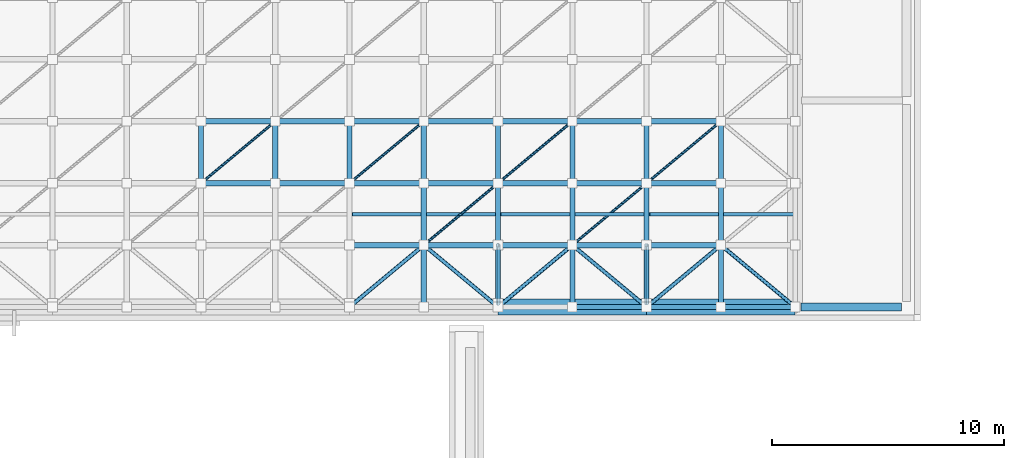
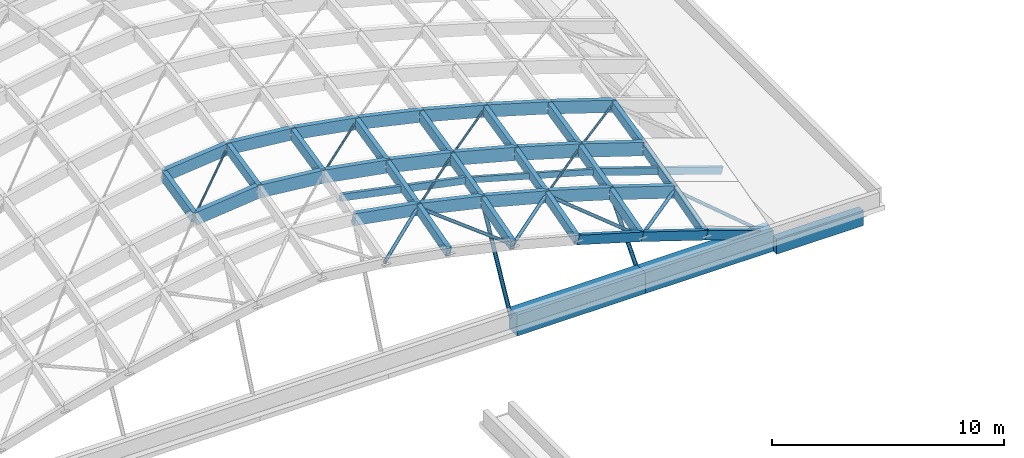
# One storey, part 18 of 40: 57 members, 3 beams.
"""IFC4 building model written with IfcOpenShell, lengths in metres."""

from ifc_helpers import new_model, si_unit, direction, frame, origin, origin_2d, place, context, subcontext, project, spatial, rectangle, hollow_circle, extrude, material, material_profile, profile_set, type_object, element, save


model = new_model("IFC4")

# Units and contexts
model_context = context("Model", 3, precision=1e-05, world=origin(), true_north=direction((0.0, 1.0)))
body_context = subcontext(model_context, "Body", "Model", "MODEL_VIEW")
ifc_project = project(units=[si_unit("LENGTHUNIT", "METRE"), si_unit("AREAUNIT", "SQUARE_METRE"), si_unit("VOLUMEUNIT", "CUBIC_METRE"), si_unit("PLANEANGLEUNIT", "RADIAN"), si_unit("MASSUNIT", "GRAM", prefix="KILO")], contexts=[model_context])

# Site, building, storey
site_placement = place(None, origin())
site = spatial("IfcSite", under=ifc_project, at=site_placement, CompositionType="ELEMENT")
building_placement = place(site_placement, origin())
building = spatial("IfcBuilding", under=site, at=building_placement, Name="Mzevani Central Library", CompositionType="ELEMENT")
storey_placement = place(building_placement, frame((0.0, 0.0, 26.699951171875)))
storey = spatial("IfcBuildingStorey", under=building, at=storey_placement, Name="RF", CompositionType="ELEMENT", Elevation=26.699951171875)

# Member
ifc_material_1 = material(Name="Glulam GL28h", Category="wood")
ifc_material_profile_1 = material_profile(ifc_material_1, rectangle(XDim=0.139892578125, YDim=0.300048828125, at=origin_2d()), Name="GL28h 140x300")
ifc_profile_set_1 = profile_set([ifc_material_profile_1], Name="Glulam GL28h")
member_type_1 = type_object("IfcMemberType", Name="Acoustic Baffle Batten GL28h 140x300", PredefinedType="PURLIN", material=ifc_profile_set_1)
member_1_placement = place(storey_placement, frame((146.2900390625, 47.10009765625, -8.010009765625), z_axis=(0.962684478894, 0.0, -0.270626299715), x_axis=(0.0, 1.0, 0.0)))
element("IfcMember", 1, at=member_1_placement, inside=storey, type_object=member_type_1, Name="RF Gridshell Edge Baffle Purlin 6", PredefinedType="PURLIN", context=body_context, shape_type="SweptSolid", body=[
    extrude(rectangle(XDim=0.139892578125, YDim=0.300048828125, at=origin_2d()), origin(), (0.0, 0.0, 1.0), 6.461181640625),
])

# Beam
ifc_material_2 = material(Name="Precast concrete C40/50", Category="concrete")
ifc_material_profile_2 = material_profile(ifc_material_2, rectangle(XDim=0.35009765625, YDim=0.800048828125, at=origin_2d()), Name="RC SP350x800")
ifc_profile_set_2 = profile_set([ifc_material_profile_2], Name="Precast concrete C40/50")
beam_type_1 = type_object("IfcBeamType", Name="Colonnade Fascia Beam RC 350x800", PredefinedType="SPANDREL", material=ifc_profile_set_2)
beam_1_placement = place(storey_placement, frame((159.25, 43.10009765625, -13.56005859375), z_axis=(1.0, 0.0, 0.0), x_axis=(0.0, 1.0, 0.0)))
element("IfcBeam", 2, at=beam_1_placement, inside=storey, type_object=beam_type_1, Name="RF V1 Girder SP-02 (147)", PredefinedType="SPANDREL", context=body_context, shape_type="SweptSolid", body=[
    extrude(rectangle(XDim=0.35009765625, YDim=0.800048828125, at=origin_2d()), origin(), (0.0, 0.0, 1.0), 4.324951171875),
])

# Members
ifc_material_3 = material(Name="Steel S355J2", Category="steel")
ifc_material_profile_3 = material_profile(ifc_material_3, hollow_circle(Radius=0.096923828125, WallThickness=0.010009765625, at=origin_2d()), Name="CHS 193.7x10.0")
ifc_profile_set_3 = profile_set([ifc_material_profile_3], Name="Steel S355J2")
member_type_2 = type_object("IfcMemberType", Name="Gridshell Corner Raker CHS 193.7", PredefinedType="BRACE", material=ifc_profile_set_3)
member_2_placement = place(storey_placement, frame((146.199951171875, 43.25, -12.949951171875), z_axis=(0.0, 0.473264552531, 0.880920350156), x_axis=(-1.0, 0.0, 0.0)))
element("IfcMember", 3, at=member_2_placement, inside=storey, type_object=member_type_2, Name="RF Gridshell South Springing Raker 5", PredefinedType="BRACE", context=body_context, shape_type="SweptSolid", body=[
    extrude(hollow_circle(Radius=0.096923828125, WallThickness=0.010009765625, at=origin_2d()), origin(), (0.0, 0.0, 1.0), 5.317626953125),
])
member_3_placement = place(storey_placement, frame((152.60009765625, 43.25, -12.949951171875), z_axis=(0.0, 0.657289394551, 0.753638276503), x_axis=(-1.0, 0.0, 0.0)))
element("IfcMember", 4, at=member_3_placement, inside=storey, type_object=member_type_2, Name="RF Gridshell South Springing Raker 6", PredefinedType="BRACE", context=body_context, shape_type="SweptSolid", body=[
    extrude(hollow_circle(Radius=0.096923828125, WallThickness=0.010009765625, at=origin_2d()), origin(), (0.0, 0.0, 1.0), 3.828857421875),
])
ifc_material_profile_4 = material_profile(ifc_material_3, hollow_circle(Radius=0.05712890625, WallThickness=0.00634765625, at=origin_2d()), Name="CHS 114.3x6.3")
ifc_profile_set_4 = profile_set([ifc_material_profile_4], Name="Steel S355J2")
member_type_3 = type_object("IfcMemberType", Name="Gridshell Diagonal Brace CHS 114.3", PredefinedType="BRACE", material=ifc_profile_set_4)
member_4_placement = place(storey_placement, frame((133.39990234375, 48.433349609375, -6.2607421875), z_axis=(0.749409555524, 0.62448890563, 0.219997556428), x_axis=(-0.640172870191, 0.768230887345, 0.0)))
element("IfcMember", 5, at=member_4_placement, inside=storey, type_object=member_type_3, Name="RF Gridshell Steel Diagonal 7.3", PredefinedType="BRACE", context=body_context, shape_type="SweptSolid", body=[
    extrude(hollow_circle(Radius=0.05712890625, WallThickness=0.00634765625, at=origin_2d()), origin(), (0.0, 0.0, 1.0), 4.270263671875),
])
member_5_placement = place(storey_placement, frame((139.800048828125, 48.433349609375, -6.2607421875), z_axis=(0.768188182737, 0.640186123448, 0.006974471179), x_axis=(-0.640201694382, 0.768206867003, 0.0)))
element("IfcMember", 6, at=member_5_placement, inside=storey, type_object=member_type_3, Name="RF Gridshell Steel Diagonal 9.3", PredefinedType="BRACE", context=body_context, shape_type="SweptSolid", body=[
    extrude(hollow_circle(Radius=0.05712890625, WallThickness=0.00634765625, at=origin_2d()), origin(), (0.0, 0.0, 1.0), 4.16552734375),
])
member_6_placement = place(storey_placement, frame((143.0, 45.7666015625, -7.51708984375), z_axis=(0.768152498931, 0.640156385582, -0.011897074638), x_axis=(-0.640201694382, 0.768206867003, 0.0)))
element("IfcMember", 7, at=member_6_placement, inside=storey, type_object=member_type_3, Name="RF Gridshell Steel Diagonal 10.2", PredefinedType="BRACE", context=body_context, shape_type="SweptSolid", body=[
    extrude(hollow_circle(Radius=0.05712890625, WallThickness=0.00634765625, at=origin_2d()), origin(), (0.0, 0.0, 1.0), 4.165771484375),
])
member_7_placement = place(storey_placement, frame((146.199951171875, 48.433349609375, -7.566650390625), z_axis=(0.766911711463, 0.639122348692, -0.058043520086), x_axis=(-0.640201694382, 0.768206867003, 0.0)))
element("IfcMember", 8, at=member_7_placement, inside=storey, type_object=member_type_3, Name="RF Gridshell Steel Diagonal 11.3", PredefinedType="BRACE", context=body_context, shape_type="SweptSolid", body=[
    extrude(hollow_circle(Radius=0.05712890625, WallThickness=0.00634765625, at=origin_2d()), origin(), (0.0, 0.0, 1.0), 4.172607421875),
])
member_8_placement = place(storey_placement, frame((149.39990234375, 45.7666015625, -9.09423828125), z_axis=(0.766607499628, 0.638820088376, -0.064975658536), x_axis=(-0.640172870191, 0.768230887345, 0.0)))
element("IfcMember", 9, at=member_8_placement, inside=storey, type_object=member_type_3, Name="RF Gridshell Steel Diagonal 12.2", PredefinedType="BRACE", context=body_context, shape_type="SweptSolid", body=[
    extrude(hollow_circle(Radius=0.05712890625, WallThickness=0.00634765625, at=origin_2d()), origin(), (0.0, 0.0, 1.0), 4.174560546875),
])
member_9_placement = place(storey_placement, frame((152.60009765625, 48.433349609375, -9.365478515625), z_axis=(0.764069331199, 0.636753590042, -0.103648071326), x_axis=(-0.640201694382, 0.768206867003, 0.0)))
element("IfcMember", 10, at=member_9_placement, inside=storey, type_object=member_type_3, Name="RF Gridshell Steel Diagonal 13.3", PredefinedType="BRACE", context=body_context, shape_type="SweptSolid", body=[
    extrude(hollow_circle(Radius=0.05712890625, WallThickness=0.00634765625, at=origin_2d()), origin(), (0.0, 0.0, 1.0), 4.18798828125),
])
ifc_material_profile_5 = material_profile(ifc_material_1, rectangle(XDim=0.199951171875, YDim=0.47998046875, at=origin_2d()), Name="GL28h 200x480")
ifc_profile_set_5 = profile_set([ifc_material_profile_5], Name="Glulam GL28h")
member_type_4 = type_object("IfcMemberType", Name="Gridshell Edge Rib GL28h 200x480", PredefinedType="RAFTER", material=ifc_profile_set_5)
member_10_placement = place(storey_placement, frame((149.39990234375, 43.10009765625, -9.8076171875), z_axis=(0.958635641973, 0.0, -0.284636093879), x_axis=(0.0, 1.0, 0.0)))
element("IfcMember", 11, at=member_10_placement, inside=storey, type_object=member_type_4, Name="RF Gridshell Glulam Arch Rib X1.12", PredefinedType="RAFTER", context=body_context, shape_type="SweptSolid", body=[
    extrude(rectangle(XDim=0.199951171875, YDim=0.47998046875, at=origin_2d()), origin(), (0.0, 0.0, 1.0), 3.33837890625),
])
member_11_placement = place(storey_placement, frame((152.60009765625, 43.10009765625, -10.7578125), z_axis=(0.950986603107, 0.0, -0.30923208228), x_axis=(0.0, 1.0, 0.0)))
element("IfcMember", 12, at=member_11_placement, inside=storey, type_object=member_type_4, Name="RF Gridshell Glulam Arch Rib X1.13", PredefinedType="RAFTER", context=body_context, shape_type="SweptSolid", body=[
    extrude(rectangle(XDim=0.199951171875, YDim=0.47998046875, at=origin_2d()), origin(), (0.0, 0.0, 1.0), 3.364990234375),
])
member_12_placement = place(storey_placement, frame((155.800048828125, 43.10009765625, -11.79833984375), z_axis=(0.943711214964, 0.0, -0.330770528843), x_axis=(0.0, 1.0, 0.0)))
element("IfcMember", 13, at=member_12_placement, inside=storey, type_object=member_type_4, Name="RF Gridshell Glulam Arch Rib X1.14", PredefinedType="RAFTER", context=body_context, shape_type="SweptSolid", body=[
    extrude(rectangle(XDim=0.199951171875, YDim=0.47998046875, at=origin_2d()), origin(), (0.0, 0.0, 1.0), 3.390869140625),
])
ifc_material_profile_6 = material_profile(ifc_material_1, rectangle(XDim=0.239990234375, YDim=0.6201171875, at=origin_2d()), Name="GL28h 240x620")
ifc_profile_set_6 = profile_set([ifc_material_profile_6], Name="Glulam GL28h")
member_type_5 = type_object("IfcMemberType", Name="Gridshell Primary Rib GL28h 240x620", PredefinedType="RAFTER", material=ifc_profile_set_6)
member_13_placement = place(storey_placement, frame((139.800048828125, 45.7666015625, -6.979736328125), z_axis=(0.984108094626, 0.0, -0.177570431357), x_axis=(0.0, 1.0, 0.0)))
element("IfcMember", 14, at=member_13_placement, inside=storey, type_object=member_type_5, Name="RF Gridshell Glulam Arch Rib X2.9", PredefinedType="RAFTER", context=body_context, shape_type="SweptSolid", body=[
    extrude(rectangle(XDim=0.239990234375, YDim=0.6201171875, at=origin_2d()), origin(), (0.0, 0.0, 1.0), 3.251708984375),
])
member_14_placement = place(storey_placement, frame((143.0, 45.7666015625, -7.55712890625), z_axis=(0.975050212006, 0.0, -0.221984423028), x_axis=(0.0, 1.0, 0.0)))
element("IfcMember", 15, at=member_14_placement, inside=storey, type_object=member_type_5, Name="RF Gridshell Glulam Arch Rib X2.10", PredefinedType="RAFTER", context=body_context, shape_type="SweptSolid", body=[
    extrude(rectangle(XDim=0.239990234375, YDim=0.6201171875, at=origin_2d()), origin(), (0.0, 0.0, 1.0), 3.28173828125),
])
member_15_placement = place(storey_placement, frame((146.199951171875, 45.7666015625, -8.28564453125), z_axis=(0.966586546506, 0.0, -0.256340492535), x_axis=(0.0, 1.0, 0.0)))
element("IfcMember", 16, at=member_15_placement, inside=storey, type_object=member_type_5, Name="RF Gridshell Glulam Arch Rib X2.11", PredefinedType="RAFTER", context=body_context, shape_type="SweptSolid", body=[
    extrude(rectangle(XDim=0.239990234375, YDim=0.6201171875, at=origin_2d()), origin(), (0.0, 0.0, 1.0), 3.310546875),
])
member_16_placement = place(storey_placement, frame((149.39990234375, 45.7666015625, -9.13427734375), z_axis=(0.958635641973, 0.0, -0.284636093879), x_axis=(0.0, 1.0, 0.0)))
element("IfcMember", 17, at=member_16_placement, inside=storey, type_object=member_type_5, Name="RF Gridshell Glulam Arch Rib X2.12", PredefinedType="RAFTER", context=body_context, shape_type="SweptSolid", body=[
    extrude(rectangle(XDim=0.239990234375, YDim=0.6201171875, at=origin_2d()), origin(), (0.0, 0.0, 1.0), 3.33837890625),
])
member_17_placement = place(storey_placement, frame((152.60009765625, 45.7666015625, -10.08447265625), z_axis=(0.950986603107, 0.0, -0.30923208228), x_axis=(0.0, 1.0, 0.0)))
element("IfcMember", 18, at=member_17_placement, inside=storey, type_object=member_type_5, Name="RF Gridshell Glulam Arch Rib X2.13", PredefinedType="RAFTER", context=body_context, shape_type="SweptSolid", body=[
    extrude(rectangle(XDim=0.239990234375, YDim=0.6201171875, at=origin_2d()), origin(), (0.0, 0.0, 1.0), 3.364990234375),
])
member_18_placement = place(storey_placement, frame((133.39990234375, 51.10009765625, -5.694580078125), z_axis=(0.994621666406, 0.0, 0.103574807342), x_axis=(0.0, 1.0, 0.0)))
element("IfcMember", 19, at=member_18_placement, inside=storey, type_object=member_type_5, Name="RF Gridshell Glulam Arch Rib X4.7", PredefinedType="RAFTER", context=body_context, shape_type="SweptSolid", body=[
    extrude(rectangle(XDim=0.239990234375, YDim=0.6201171875, at=origin_2d()), origin(), (0.0, 0.0, 1.0), 3.217529296875),
])
member_19_placement = place(storey_placement, frame((136.60009765625, 51.10009765625, -5.361328125), z_axis=(0.994620852304, 0.0, -0.103582624811), x_axis=(0.0, 1.0, 0.0)))
element("IfcMember", 20, at=member_19_placement, inside=storey, type_object=member_type_5, Name="RF Gridshell Glulam Arch Rib X4.8", PredefinedType="RAFTER", context=body_context, shape_type="SweptSolid", body=[
    extrude(rectangle(XDim=0.239990234375, YDim=0.6201171875, at=origin_2d()), origin(), (0.0, 0.0, 1.0), 3.21728515625),
])
member_20_placement = place(storey_placement, frame((139.800048828125, 51.10009765625, -5.694580078125), z_axis=(0.984121212692, 0.0, -0.177497714718), x_axis=(0.0, 1.0, 0.0)))
element("IfcMember", 21, at=member_20_placement, inside=storey, type_object=member_type_5, Name="RF Gridshell Glulam Arch Rib X4.9", PredefinedType="RAFTER", context=body_context, shape_type="SweptSolid", body=[
    extrude(rectangle(XDim=0.239990234375, YDim=0.6201171875, at=origin_2d()), origin(), (0.0, 0.0, 1.0), 3.25146484375),
])
member_21_placement = place(storey_placement, frame((143.0, 51.10009765625, -6.271728515625), z_axis=(0.975034107954, 0.0, -0.222055147039), x_axis=(0.0, 1.0, 0.0)))
element("IfcMember", 22, at=member_21_placement, inside=storey, type_object=member_type_5, Name="RF Gridshell Glulam Arch Rib X4.10", PredefinedType="RAFTER", context=body_context, shape_type="SweptSolid", body=[
    extrude(rectangle(XDim=0.239990234375, YDim=0.6201171875, at=origin_2d()), origin(), (0.0, 0.0, 1.0), 3.281982421875),
])
member_22_placement = place(storey_placement, frame((146.199951171875, 51.10009765625, -7.00048828125), z_axis=(0.966604816788, 0.0, -0.256271590626), x_axis=(0.0, 1.0, 0.0)))
element("IfcMember", 23, at=member_22_placement, inside=storey, type_object=member_type_5, Name="RF Gridshell Glulam Arch Rib X4.11", PredefinedType="RAFTER", context=body_context, shape_type="SweptSolid", body=[
    extrude(rectangle(XDim=0.239990234375, YDim=0.6201171875, at=origin_2d()), origin(), (0.0, 0.0, 1.0), 3.310546875),
])
member_23_placement = place(storey_placement, frame((149.39990234375, 51.10009765625, -7.848876953125), z_axis=(0.958635641973, 0.0, -0.284636093879), x_axis=(0.0, 1.0, 0.0)))
element("IfcMember", 24, at=member_23_placement, inside=storey, type_object=member_type_5, Name="RF Gridshell Glulam Arch Rib X4.12", PredefinedType="RAFTER", context=body_context, shape_type="SweptSolid", body=[
    extrude(rectangle(XDim=0.239990234375, YDim=0.6201171875, at=origin_2d()), origin(), (0.0, 0.0, 1.0), 3.33837890625),
])
member_24_placement = place(storey_placement, frame((152.60009765625, 51.10009765625, -8.799072265625), z_axis=(0.950986603107, 0.0, -0.30923208228), x_axis=(0.0, 1.0, 0.0)))
element("IfcMember", 25, at=member_24_placement, inside=storey, type_object=member_type_5, Name="RF Gridshell Glulam Arch Rib X4.13", PredefinedType="RAFTER", context=body_context, shape_type="SweptSolid", body=[
    extrude(rectangle(XDim=0.239990234375, YDim=0.6201171875, at=origin_2d()), origin(), (0.0, 0.0, 1.0), 3.364990234375),
])
ifc_material_profile_7 = material_profile(ifc_material_1, rectangle(XDim=0.239990234375, YDim=0.679931640625, at=origin_2d()), Name="GL28h 240x680")
ifc_profile_set_7 = profile_set([ifc_material_profile_7], Name="Glulam GL28h")
member_type_6 = type_object("IfcMemberType", Name="Gridshell Primary Rib GL28h 240x680", PredefinedType="RAFTER", material=ifc_profile_set_7)
member_25_placement = place(storey_placement, frame((133.39990234375, 48.433349609375, -6.330810546875), z_axis=(0.994621666406, 0.0, 0.103574807342), x_axis=(0.0, 1.0, 0.0)))
element("IfcMember", 26, at=member_25_placement, inside=storey, type_object=member_type_6, Name="RF Gridshell Glulam Arch Rib X3.7", PredefinedType="RAFTER", context=body_context, shape_type="SweptSolid", body=[
    extrude(rectangle(XDim=0.239990234375, YDim=0.679931640625, at=origin_2d()), origin(), (0.0, 0.0, 1.0), 3.217529296875),
])
member_26_placement = place(storey_placement, frame((136.60009765625, 48.433349609375, -5.99755859375), z_axis=(0.994620852304, 0.0, -0.103582624811), x_axis=(0.0, 1.0, 0.0)))
element("IfcMember", 27, at=member_26_placement, inside=storey, type_object=member_type_6, Name="RF Gridshell Glulam Arch Rib X3.8", PredefinedType="RAFTER", context=body_context, shape_type="SweptSolid", body=[
    extrude(rectangle(XDim=0.239990234375, YDim=0.679931640625, at=origin_2d()), origin(), (0.0, 0.0, 1.0), 3.21728515625),
])
member_27_placement = place(storey_placement, frame((139.800048828125, 48.433349609375, -6.330810546875), z_axis=(0.984121212692, 0.0, -0.177497714718), x_axis=(0.0, 1.0, 0.0)))
element("IfcMember", 28, at=member_27_placement, inside=storey, type_object=member_type_6, Name="RF Gridshell Glulam Arch Rib X3.9", PredefinedType="RAFTER", context=body_context, shape_type="SweptSolid", body=[
    extrude(rectangle(XDim=0.239990234375, YDim=0.679931640625, at=origin_2d()), origin(), (0.0, 0.0, 1.0), 3.25146484375),
])
member_28_placement = place(storey_placement, frame((143.0, 48.433349609375, -6.907958984375), z_axis=(0.975034107954, 0.0, -0.222055147039), x_axis=(0.0, 1.0, 0.0)))
element("IfcMember", 29, at=member_28_placement, inside=storey, type_object=member_type_6, Name="RF Gridshell Glulam Arch Rib X3.10", PredefinedType="RAFTER", context=body_context, shape_type="SweptSolid", body=[
    extrude(rectangle(XDim=0.239990234375, YDim=0.679931640625, at=origin_2d()), origin(), (0.0, 0.0, 1.0), 3.281982421875),
])
member_29_placement = place(storey_placement, frame((146.199951171875, 48.433349609375, -7.63671875), z_axis=(0.966604816788, 0.0, -0.256271590626), x_axis=(0.0, 1.0, 0.0)))
element("IfcMember", 30, at=member_29_placement, inside=storey, type_object=member_type_6, Name="RF Gridshell Glulam Arch Rib X3.11", PredefinedType="RAFTER", context=body_context, shape_type="SweptSolid", body=[
    extrude(rectangle(XDim=0.239990234375, YDim=0.679931640625, at=origin_2d()), origin(), (0.0, 0.0, 1.0), 3.310546875),
])
member_30_placement = place(storey_placement, frame((149.39990234375, 48.433349609375, -8.485107421875), z_axis=(0.958615684622, 0.0, -0.284703300292), x_axis=(0.0, 1.0, 0.0)))
element("IfcMember", 31, at=member_30_placement, inside=storey, type_object=member_type_6, Name="RF Gridshell Glulam Arch Rib X3.12", PredefinedType="RAFTER", context=body_context, shape_type="SweptSolid", body=[
    extrude(rectangle(XDim=0.239990234375, YDim=0.679931640625, at=origin_2d()), origin(), (0.0, 0.0, 1.0), 3.33837890625),
])
member_31_placement = place(storey_placement, frame((152.60009765625, 48.433349609375, -9.435546875), z_axis=(0.951007938159, 0.0, -0.309166462539), x_axis=(0.0, 1.0, 0.0)))
element("IfcMember", 32, at=member_31_placement, inside=storey, type_object=member_type_6, Name="RF Gridshell Glulam Arch Rib X3.13", PredefinedType="RAFTER", context=body_context, shape_type="SweptSolid", body=[
    extrude(rectangle(XDim=0.239990234375, YDim=0.679931640625, at=origin_2d()), origin(), (0.0, 0.0, 1.0), 3.36474609375),
])

# Beams
ifc_material_4 = material(Name="Concrete C40/50", Category="concrete")
ifc_material_profile_8 = material_profile(ifc_material_4, rectangle(XDim=0.699951171875, YDim=1.10009765625, at=origin_2d()), Name="RC RB700x1100")
ifc_profile_set_8 = profile_set([ifc_material_profile_8], Name="Concrete C40/50")
beam_type_2 = type_object("IfcBeamType", Name="Gridshell Ring Beam RC 700x1100", PredefinedType="BEAM", material=ifc_profile_set_8)
beam_2_placement = place(storey_placement, frame((146.199951171875, 43.10009765625, -13.050048828125), z_axis=(1.0, 0.0, 0.0), x_axis=(0.0, 1.0, 0.0)))
element("IfcBeam", 33, at=beam_2_placement, inside=storey, type_object=beam_type_2, Name="RF Gridshell Ring Beam South Bay 6", PredefinedType="BEAM", context=body_context, shape_type="SweptSolid", body=[
    extrude(rectangle(XDim=0.699951171875, YDim=1.10009765625, at=origin_2d()), origin(), (0.0, 0.0, 1.0), 6.400146484375),
])
beam_3_placement = place(storey_placement, frame((152.60009765625, 43.10009765625, -13.050048828125), z_axis=(1.0, 0.0, 0.0), x_axis=(0.0, 1.0, 0.0)))
element("IfcBeam", 34, at=beam_3_placement, inside=storey, type_object=beam_type_2, Name="RF Gridshell Ring Beam South Bay 7", PredefinedType="BEAM", context=body_context, shape_type="SweptSolid", body=[
    extrude(rectangle(XDim=0.699951171875, YDim=1.10009765625, at=origin_2d()), origin(), (0.0, 0.0, 1.0), 6.39990234375),
])

# Members
ifc_material_profile_9 = material_profile(ifc_material_3, hollow_circle(Radius=0.084228515625, WallThickness=0.010009765625, at=origin_2d()), Name="CHS 168.3x10.0")
ifc_profile_set_9 = profile_set([ifc_material_profile_9], Name="Steel S355J2")
member_type_7 = type_object("IfcMemberType", Name="Gridshell Springing Brace CHS 168.3", PredefinedType="BRACE", material=ifc_profile_set_9)
member_32_placement = place(storey_placement, frame((139.800048828125, 43.10009765625, -7.68310546875), z_axis=(0.767626228949, 0.639659241061, 0.039824966482), x_axis=(-0.640167103973, 0.768235692344, 0.0)))
element("IfcMember", 35, at=member_32_placement, inside=storey, type_object=member_type_7, Name="RF Gridshell Steel Diagonal 9.1", PredefinedType="BRACE", context=body_context, shape_type="SweptSolid", body=[
    extrude(hollow_circle(Radius=0.084228515625, WallThickness=0.010009765625, at=origin_2d()), origin(), (0.0, 0.0, 1.0), 4.168701171875),
])
member_33_placement = place(storey_placement, frame((143.0, 45.7666015625, -7.51708984375), z_axis=(0.724340037038, -0.60358906573, -0.333184259045), x_axis=(0.640167103973, 0.768235692344, 0.0)))
element("IfcMember", 36, at=member_33_placement, inside=storey, type_object=member_type_7, Name="RF Gridshell Steel Diagonal 10.1", PredefinedType="BRACE", context=body_context, shape_type="SweptSolid", body=[
    extrude(hollow_circle(Radius=0.084228515625, WallThickness=0.010009765625, at=origin_2d()), origin(), (0.0, 0.0, 1.0), 4.417724609375),
])
member_34_placement = place(storey_placement, frame((146.199951171875, 43.10009765625, -8.989013671875), z_axis=(0.76799067683, 0.639962933725, -0.025253985024), x_axis=(-0.640167103973, 0.768235692344, 0.0)))
element("IfcMember", 37, at=member_34_placement, inside=storey, type_object=member_type_7, Name="RF Gridshell Steel Diagonal 11.1", PredefinedType="BRACE", context=body_context, shape_type="SweptSolid", body=[
    extrude(hollow_circle(Radius=0.084228515625, WallThickness=0.010009765625, at=origin_2d()), origin(), (0.0, 0.0, 1.0), 4.166748046875),
])
member_35_placement = place(storey_placement, frame((149.39990234375, 45.7666015625, -9.09423828125), z_axis=(0.711685647353, -0.592998980805, -0.376637422619), x_axis=(0.640138279177, 0.768259710991, 0.0)))
element("IfcMember", 38, at=member_35_placement, inside=storey, type_object=member_type_7, Name="RF Gridshell Steel Diagonal 12.1", PredefinedType="BRACE", context=body_context, shape_type="SweptSolid", body=[
    extrude(hollow_circle(Radius=0.084228515625, WallThickness=0.010009765625, at=origin_2d()), origin(), (0.0, 0.0, 1.0), 4.49658203125),
])
member_36_placement = place(storey_placement, frame((152.60009765625, 43.10009765625, -10.787841796875), z_axis=(0.766288653902, 0.638544646213, -0.071150781399), x_axis=(-0.640167103973, 0.768235692344, 0.0)))
element("IfcMember", 39, at=member_36_placement, inside=storey, type_object=member_type_7, Name="RF Gridshell Steel Diagonal 13.1", PredefinedType="BRACE", context=body_context, shape_type="SweptSolid", body=[
    extrude(hollow_circle(Radius=0.084228515625, WallThickness=0.010009765625, at=origin_2d()), origin(), (0.0, 0.0, 1.0), 4.176025390625),
])
member_37_placement = place(storey_placement, frame((155.800048828125, 45.7666015625, -11.0849609375), z_axis=(0.701161924928, -0.584274856494, -0.4086500301), x_axis=(0.640167103973, 0.768235692344, 0.0)))
element("IfcMember", 40, at=member_37_placement, inside=storey, type_object=member_type_7, Name="RF Gridshell Steel Diagonal 14.1", PredefinedType="BRACE", context=body_context, shape_type="SweptSolid", body=[
    extrude(hollow_circle(Radius=0.084228515625, WallThickness=0.010009765625, at=origin_2d()), origin(), (0.0, 0.0, 1.0), 4.563720703125),
])
ifc_material_profile_10 = material_profile(ifc_material_1, rectangle(XDim=0.219970703125, YDim=0.52001953125, at=origin_2d()), Name="GL28h 220x520")
ifc_profile_set_10 = profile_set([ifc_material_profile_10], Name="Glulam GL28h")
member_type_8 = type_object("IfcMemberType", Name="Gridshell Transverse Rib GL28h 220x520", PredefinedType="RAFTER", material=ifc_profile_set_10)
member_38_placement = place(storey_placement, frame((136.60009765625, 48.433349609375, -5.91748046875), z_axis=(0.0, 0.97512320853, 0.221663547265), x_axis=(-1.0, 0.0, 0.0)))
element("IfcMember", 41, at=member_38_placement, inside=storey, type_object=member_type_8, Name="RF Gridshell Glulam Transverse Rib Y8.3", PredefinedType="RAFTER", context=body_context, shape_type="SweptSolid", body=[
    extrude(rectangle(XDim=0.219970703125, YDim=0.52001953125, at=origin_2d()), origin(), (0.0, 0.0, 1.0), 2.73486328125),
])
member_39_placement = place(storey_placement, frame((143.0, 43.10009765625, -8.25048828125), z_axis=(0.0, 0.963264772672, 0.268553491374), x_axis=(-1.0, 0.0, 0.0)))
element("IfcMember", 42, at=member_39_placement, inside=storey, type_object=member_type_8, Name="RF Gridshell Glulam Transverse Rib Y10.1", PredefinedType="RAFTER", context=body_context, shape_type="SweptSolid", body=[
    extrude(rectangle(XDim=0.219970703125, YDim=0.52001953125, at=origin_2d()), origin(), (0.0, 0.0, 1.0), 2.768310546875),
])
member_40_placement = place(storey_placement, frame((143.0, 45.7666015625, -7.507080078125), z_axis=(0.0, 0.969063231136, 0.246812588943), x_axis=(-1.0, 0.0, 0.0)))
element("IfcMember", 43, at=member_40_placement, inside=storey, type_object=member_type_8, Name="RF Gridshell Glulam Transverse Rib Y10.2", PredefinedType="RAFTER", context=body_context, shape_type="SweptSolid", body=[
    extrude(rectangle(XDim=0.219970703125, YDim=0.52001953125, at=origin_2d()), origin(), (0.0, 0.0, 1.0), 2.751953125),
])
member_41_placement = place(storey_placement, frame((143.0, 48.433349609375, -6.827880859375), z_axis=(0.0, 0.97512320853, 0.221663547265), x_axis=(-1.0, 0.0, 0.0)))
element("IfcMember", 44, at=member_41_placement, inside=storey, type_object=member_type_8, Name="RF Gridshell Glulam Transverse Rib Y10.3", PredefinedType="RAFTER", context=body_context, shape_type="SweptSolid", body=[
    extrude(rectangle(XDim=0.219970703125, YDim=0.52001953125, at=origin_2d()), origin(), (0.0, 0.0, 1.0), 2.73486328125),
])
member_42_placement = place(storey_placement, frame((149.39990234375, 43.10009765625, -9.82763671875), z_axis=(0.0, 0.963264772672, 0.268553491374), x_axis=(-1.0, 0.0, 0.0)))
element("IfcMember", 45, at=member_42_placement, inside=storey, type_object=member_type_8, Name="RF Gridshell Glulam Transverse Rib Y12.1", PredefinedType="RAFTER", context=body_context, shape_type="SweptSolid", body=[
    extrude(rectangle(XDim=0.219970703125, YDim=0.52001953125, at=origin_2d()), origin(), (0.0, 0.0, 1.0), 2.768310546875),
])
member_43_placement = place(storey_placement, frame((149.39990234375, 45.7666015625, -9.084228515625), z_axis=(0.0, 0.969063231136, 0.246812588943), x_axis=(-1.0, 0.0, 0.0)))
element("IfcMember", 46, at=member_43_placement, inside=storey, type_object=member_type_8, Name="RF Gridshell Glulam Transverse Rib Y12.2", PredefinedType="RAFTER", context=body_context, shape_type="SweptSolid", body=[
    extrude(rectangle(XDim=0.219970703125, YDim=0.52001953125, at=origin_2d()), origin(), (0.0, 0.0, 1.0), 2.751953125),
])
member_44_placement = place(storey_placement, frame((149.39990234375, 48.433349609375, -8.405029296875), z_axis=(0.0, 0.97512320853, 0.221663547265), x_axis=(-1.0, 0.0, 0.0)))
element("IfcMember", 47, at=member_44_placement, inside=storey, type_object=member_type_8, Name="RF Gridshell Glulam Transverse Rib Y12.3", PredefinedType="RAFTER", context=body_context, shape_type="SweptSolid", body=[
    extrude(rectangle(XDim=0.219970703125, YDim=0.52001953125, at=origin_2d()), origin(), (0.0, 0.0, 1.0), 2.73486328125),
])
member_45_placement = place(storey_placement, frame((155.800048828125, 43.10009765625, -11.818359375), z_axis=(0.0, 0.963264772672, 0.268553491374), x_axis=(-1.0, 0.0, 0.0)))
element("IfcMember", 48, at=member_45_placement, inside=storey, type_object=member_type_8, Name="RF Gridshell Glulam Transverse Rib Y14.1", PredefinedType="RAFTER", context=body_context, shape_type="SweptSolid", body=[
    extrude(rectangle(XDim=0.219970703125, YDim=0.52001953125, at=origin_2d()), origin(), (0.0, 0.0, 1.0), 2.768310546875),
])
member_46_placement = place(storey_placement, frame((155.800048828125, 45.7666015625, -11.074951171875), z_axis=(0.0, 0.969063231136, 0.246812588943), x_axis=(-1.0, 0.0, 0.0)))
element("IfcMember", 49, at=member_46_placement, inside=storey, type_object=member_type_8, Name="RF Gridshell Glulam Transverse Rib Y14.2", PredefinedType="RAFTER", context=body_context, shape_type="SweptSolid", body=[
    extrude(rectangle(XDim=0.219970703125, YDim=0.52001953125, at=origin_2d()), origin(), (0.0, 0.0, 1.0), 2.751953125),
])
member_47_placement = place(storey_placement, frame((155.800048828125, 48.433349609375, -10.395751953125), z_axis=(0.0, 0.97512320853, 0.221663547265), x_axis=(-1.0, 0.0, 0.0)))
element("IfcMember", 50, at=member_47_placement, inside=storey, type_object=member_type_8, Name="RF Gridshell Glulam Transverse Rib Y14.3", PredefinedType="RAFTER", context=body_context, shape_type="SweptSolid", body=[
    extrude(rectangle(XDim=0.219970703125, YDim=0.52001953125, at=origin_2d()), origin(), (0.0, 0.0, 1.0), 2.73486328125),
])
ifc_material_profile_11 = material_profile(ifc_material_1, rectangle(XDim=0.219970703125, YDim=0.580078125, at=origin_2d()), Name="GL28h 220x580")
ifc_profile_set_11 = profile_set([ifc_material_profile_11], Name="Glulam GL28h")
member_type_9 = type_object("IfcMemberType", Name="Gridshell Transverse Rib GL28h 220x580", PredefinedType="RAFTER", material=ifc_profile_set_11)
for number, where, z_axis, x_axis, name in (
    (51, (133.39990234375, 48.433349609375, -6.28076171875), (0.0, 0.97512320853, 0.221663547265), (-1.0, 0.0, 0.0), "RF Gridshell Glulam Transverse Rib Y7.3"),
    (52, (139.800048828125, 48.433349609375, -6.28076171875), (0.0, 0.97512320853, 0.221663547265), (-1.0, 0.0, 0.0), "RF Gridshell Glulam Transverse Rib Y9.3"),
):
    element("IfcMember", number, at=place(storey_placement, frame(where, z_axis=z_axis, x_axis=x_axis)), inside=storey, type_object=member_type_9, Name=name, PredefinedType="RAFTER", context=body_context, shape_type="SweptSolid", body=[
        extrude(rectangle(XDim=0.219970703125, YDim=0.580078125, at=origin_2d()), origin(), (0.0, 0.0, 1.0), 2.73486328125),
    ])
member_48_placement = place(storey_placement, frame((146.199951171875, 43.10009765625, -9.009033203125), z_axis=(0.0, 0.963264772672, 0.268553491374), x_axis=(-1.0, 0.0, 0.0)))
element("IfcMember", 53, at=member_48_placement, inside=storey, type_object=member_type_9, Name="RF Gridshell Glulam Transverse Rib Y11.1", PredefinedType="RAFTER", context=body_context, shape_type="SweptSolid", body=[
    extrude(rectangle(XDim=0.219970703125, YDim=0.580078125, at=origin_2d()), origin(), (0.0, 0.0, 1.0), 2.768310546875),
])
member_49_placement = place(storey_placement, frame((146.199951171875, 45.7666015625, -8.265625), z_axis=(0.0, 0.969084447248, 0.246729272892), x_axis=(-1.0, 0.0, 0.0)))
element("IfcMember", 54, at=member_49_placement, inside=storey, type_object=member_type_9, Name="RF Gridshell Glulam Transverse Rib Y11.2", PredefinedType="RAFTER", context=body_context, shape_type="SweptSolid", body=[
    extrude(rectangle(XDim=0.219970703125, YDim=0.580078125, at=origin_2d()), origin(), (0.0, 0.0, 1.0), 2.751708984375),
])
member_50_placement = place(storey_placement, frame((146.199951171875, 48.433349609375, -7.586669921875), z_axis=(0.0, 0.97512320853, 0.221663547265), x_axis=(-1.0, 0.0, 0.0)))
element("IfcMember", 55, at=member_50_placement, inside=storey, type_object=member_type_9, Name="RF Gridshell Glulam Transverse Rib Y11.3", PredefinedType="RAFTER", context=body_context, shape_type="SweptSolid", body=[
    extrude(rectangle(XDim=0.219970703125, YDim=0.580078125, at=origin_2d()), origin(), (0.0, 0.0, 1.0), 2.73486328125),
])
member_51_placement = place(storey_placement, frame((152.60009765625, 43.10009765625, -10.807861328125), z_axis=(0.0, 0.963264772672, 0.268553491374), x_axis=(-1.0, 0.0, 0.0)))
element("IfcMember", 56, at=member_51_placement, inside=storey, type_object=member_type_9, Name="RF Gridshell Glulam Transverse Rib Y13.1", PredefinedType="RAFTER", context=body_context, shape_type="SweptSolid", body=[
    extrude(rectangle(XDim=0.219970703125, YDim=0.580078125, at=origin_2d()), origin(), (0.0, 0.0, 1.0), 2.768310546875),
])
member_52_placement = place(storey_placement, frame((152.60009765625, 45.7666015625, -10.064453125), z_axis=(0.0, 0.969084447248, 0.246729272892), x_axis=(-1.0, 0.0, 0.0)))
element("IfcMember", 57, at=member_52_placement, inside=storey, type_object=member_type_9, Name="RF Gridshell Glulam Transverse Rib Y13.2", PredefinedType="RAFTER", context=body_context, shape_type="SweptSolid", body=[
    extrude(rectangle(XDim=0.219970703125, YDim=0.580078125, at=origin_2d()), origin(), (0.0, 0.0, 1.0), 2.751708984375),
])
member_53_placement = place(storey_placement, frame((152.60009765625, 48.433349609375, -9.385498046875), z_axis=(0.0, 0.97512320853, 0.221663547265), x_axis=(-1.0, 0.0, 0.0)))
element("IfcMember", 58, at=member_53_placement, inside=storey, type_object=member_type_9, Name="RF Gridshell Glulam Transverse Rib Y13.3", PredefinedType="RAFTER", context=body_context, shape_type="SweptSolid", body=[
    extrude(rectangle(XDim=0.219970703125, YDim=0.580078125, at=origin_2d()), origin(), (0.0, 0.0, 1.0), 2.73486328125),
])
ifc_material_profile_12 = material_profile(ifc_material_1, rectangle(XDim=0.159912109375, YDim=0.360107421875, at=origin_2d()), Name="GL28h 160x360")
ifc_profile_set_12 = profile_set([ifc_material_profile_12], Name="Glulam GL28h")
member_type_10 = type_object("IfcMemberType", Name="Reading Gallery Sub-Rib GL28h 160x360", PredefinedType="PURLIN", material=ifc_profile_set_12)
member_54_placement = place(storey_placement, frame((139.889892578125, 47.10009765625, -6.695556640625), z_axis=(0.979793447665, 0.0, -0.200011999423), x_axis=(0.0, 1.0, 0.0)))
element("IfcMember", 59, at=member_54_placement, inside=storey, type_object=member_type_10, Name="RF Gridshell Edge Baffle Purlin 5", PredefinedType="PURLIN", context=body_context, shape_type="SweptSolid", body=[
    extrude(rectangle(XDim=0.159912109375, YDim=0.360107421875, at=origin_2d()), origin(), (0.0, 0.0, 1.0), 6.348388671875),
])
member_55_placement = place(storey_placement, frame((152.68994140625, 47.10009765625, -9.814453125), z_axis=(0.947385049647, 0.0, -0.320096185083), x_axis=(0.0, 1.0, 0.0)))
element("IfcMember", 60, at=member_55_placement, inside=storey, type_object=member_type_10, Name="RF Gridshell Edge Baffle Purlin 7", PredefinedType="PURLIN", context=body_context, shape_type="SweptSolid", body=[
    extrude(rectangle(XDim=0.159912109375, YDim=0.360107421875, at=origin_2d()), origin(), (0.0, 0.0, 1.0), 6.5654296875),
])

save(model, "model.ifc")
